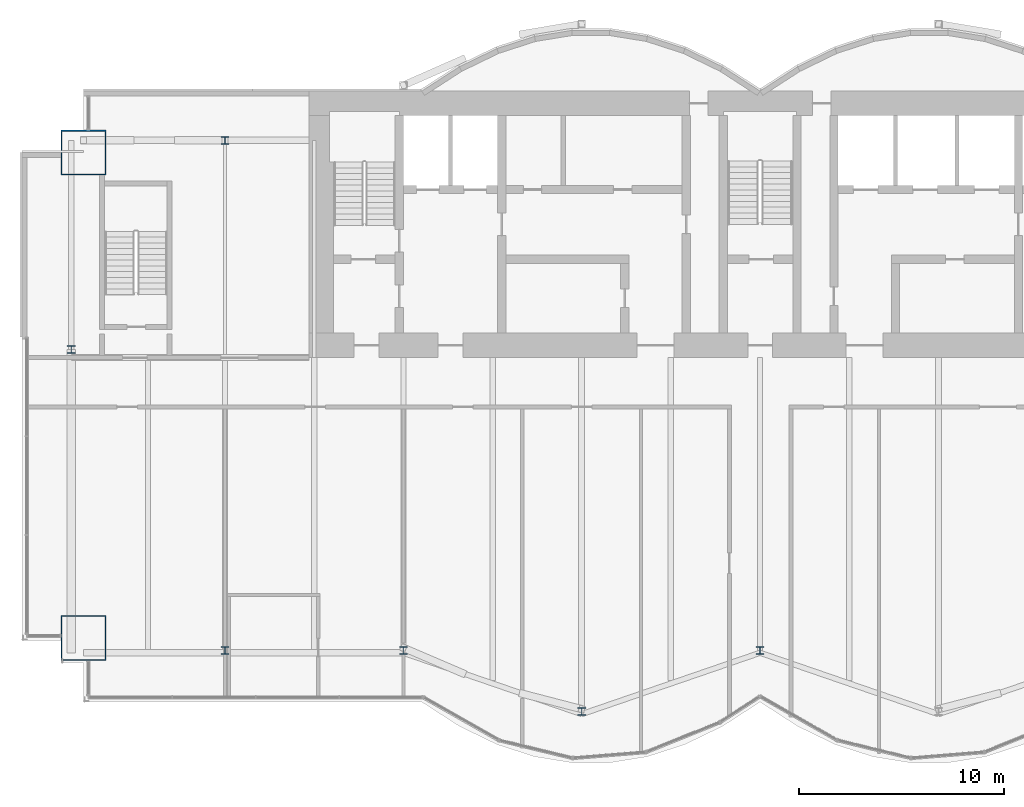
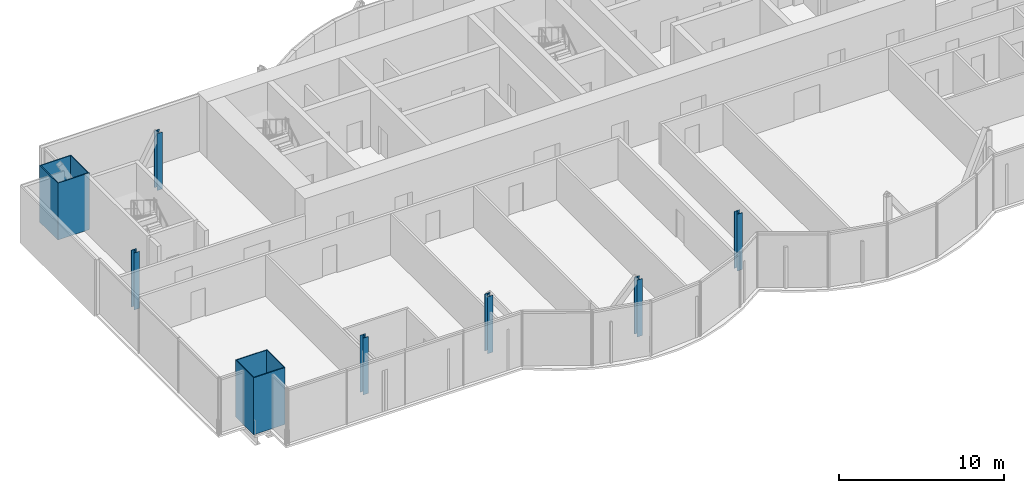
# One storey, part 1 of 20: 8 columns.
"""IFC4 building model written with IfcOpenShell, lengths in metres."""

from ifc_helpers import new_model, si_unit, direction, frame, origin, origin_2d, place, context, subcontext, project, spatial, hollow_rectangle, i_section, extrude, material, material_profile, profile_set, type_object, element, save


model = new_model("IFC4")

# Units and contexts
model_context = context("Model", 3, precision=1e-05, world=origin(), true_north=direction((0.0, 1.0)))
body_context = subcontext(model_context, "Body", "Model", "MODEL_VIEW")
ifc_project = project(units=[si_unit("LENGTHUNIT", "METRE"), si_unit("AREAUNIT", "SQUARE_METRE"), si_unit("VOLUMEUNIT", "CUBIC_METRE"), si_unit("PLANEANGLEUNIT", "RADIAN"), si_unit("MASSUNIT", "GRAM", prefix="KILO")], contexts=[model_context])

# Site, building, storey
site_placement = place(None, origin())
site = spatial("IfcSite", under=ifc_project, at=site_placement, CompositionType="ELEMENT")
building_placement = place(site_placement, origin())
building = spatial("IfcBuilding", under=site, at=building_placement, Name="Bicima Exchange Tower", CompositionType="ELEMENT")
storey_placement = place(building_placement, frame((0.0, 0.0, 249.800048828125)))
storey = spatial("IfcBuildingStorey", under=building, at=storey_placement, Name="L56", CompositionType="ELEMENT", Elevation=249.800048828125)

# Columns
ifc_material_1 = material(Name="Steel ASTM A572 Gr 50", Category="steel")
ifc_material_profile_1 = material_profile(ifc_material_1, hollow_rectangle(XDim=2.199951171875, YDim=2.199951171875, WallThickness=0.06005859375, at=origin_2d()))
ifc_profile_set_1 = profile_set([ifc_material_profile_1], Name="Steel ASTM A572 Gr 50")
column_type_1 = type_object("IfcColumnType", Name="Mega column BOX 2200x2200x60", PredefinedType="COLUMN", material=ifc_profile_set_1)
for number, where, z_axis, x_axis, name in (
    (1, (-33.0, -26.677978515625, 0.0), (0.0, 0.0, 1.0), (1.0, 0.0, 0.0), "Mega column mega-33.0f"),
    (2, (-33.0, -3.0, 0.0), (0.0, 0.0, 1.0), (1.0, 0.0, 0.0), "Mega column mega-33.0r"),
):
    element("IfcColumn", number, at=place(storey_placement, frame(where, z_axis=z_axis, x_axis=x_axis)), inside=storey, type_object=column_type_1, Name=name, PredefinedType="COLUMN", context=body_context, shape_type="SweptSolid", body=[
        extrude(hollow_rectangle(XDim=2.199951171875, YDim=2.199951171875, WallThickness=0.06005859375, at=origin_2d()), origin(), (0.0, 0.0, 1.0), 4.199951171875),
    ])
ifc_material_2 = material(Name="Steel ASTM A992 Gr 50", Category="steel")
ifc_material_profile_2 = material_profile(ifc_material_2, i_section(OverallWidth=0.370849609375, OverallDepth=0.36328125, WebThickness=0.013427734375, FlangeThickness=0.021728515625, at=origin_2d()))
ifc_profile_set_2 = profile_set([ifc_material_profile_2], Name="Steel ASTM A992 Gr 50")
column_type_2 = type_object("IfcColumnType", Name="Perimeter column W14x109", PredefinedType="COLUMN", material=ifc_profile_set_2)
for number, where, z_axis, x_axis, name in (
    (3, (-26.10009765625, -27.278076171875, 0.0), (0.0, 0.0, 1.0), (1.0, 0.0, 0.0), "Perimeter column grav-26.1f"),
    (4, (-26.10009765625, -2.39990234375, 0.0), (0.0, 0.0, 1.0), (1.0, 0.0, 0.0), "Perimeter column grav-26.1r"),
    (5, (-17.39990234375, -27.278076171875, 0.0), (0.0, 0.0, 1.0), (1.0, 0.0, 0.0), "Perimeter column grav-17.4f"),
    (6, (-8.699951171875, -30.26904296875, 0.0), (0.0, 0.0, 1.0), (1.0, 0.0, 0.0), "Perimeter column grav-8.7f"),
    (7, (0.0, -27.278076171875, 0.0), (0.0, 0.0, 1.0), (1.0, 0.0, 0.0), "Perimeter column grav-0.0f"),
    (8, (-33.60009765625, -12.60009765625, 0.0), (0.0, 0.0, 1.0), (1.0, 0.0, 0.0), "End column end-33.6e"),
):
    element("IfcColumn", number, at=place(storey_placement, frame(where, z_axis=z_axis, x_axis=x_axis)), inside=storey, type_object=column_type_2, Name=name, PredefinedType="COLUMN", context=body_context, shape_type="SweptSolid", body=[
        extrude(i_section(OverallWidth=0.370849609375, OverallDepth=0.36328125, WebThickness=0.013427734375, FlangeThickness=0.021728515625, at=origin_2d()), origin(), (0.0, 0.0, 1.0), 4.199951171875),
    ])

save(model, "model.ifc")
